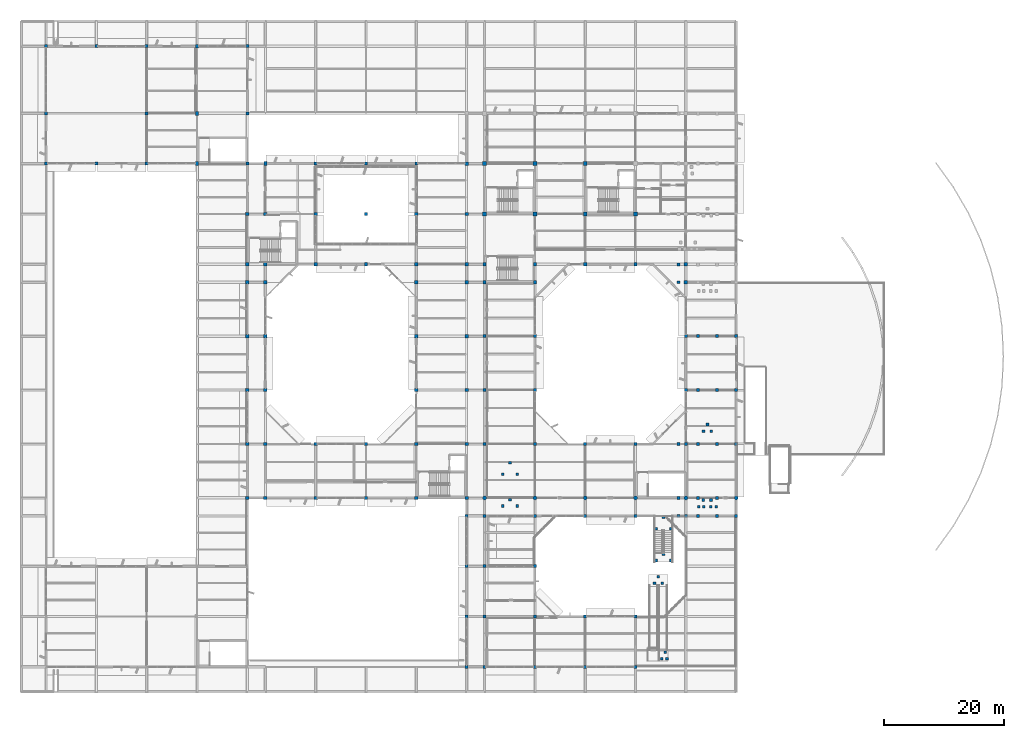
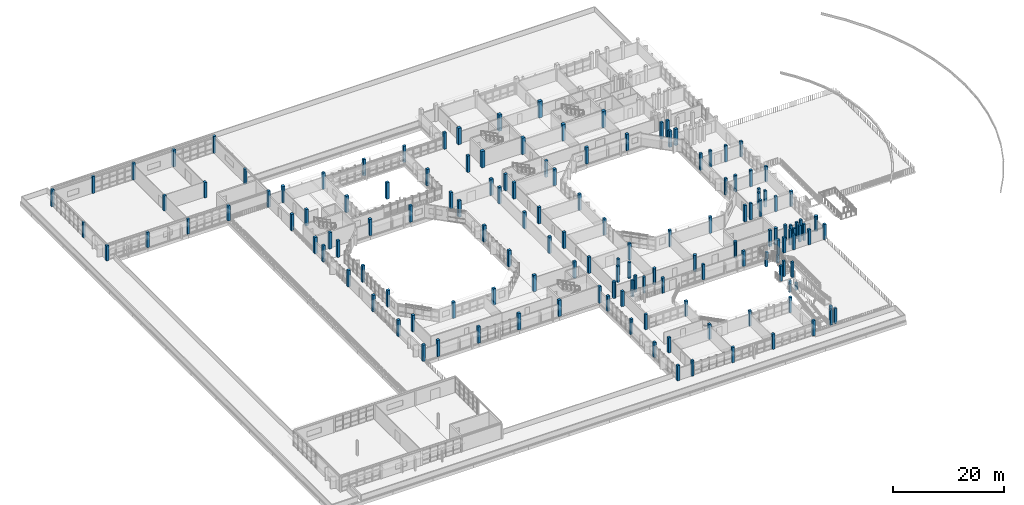
# One storey, part 2 of 92: 152 columns.
"""IFC4 building model written with IfcOpenShell, lengths in metres."""

import ifcopenshell
import ifcopenshell.guid

model = None  # the IFC model being written
_history = None  # IfcOwnerHistory: only IFC2X3 demands one
_inside = {}  # id of a spatial element -> (the spatial element, [elements in it])
_under = {}  # id of a project, library or spatial element -> (it, [spatial elements below it])
_declared = {}  # id of a project -> (the project, [libraries it declares])
_typed = {}  # id of a type object -> (the type object, [elements of that type])
_made_of = {}  # id of a material, layer set ... -> (it, [elements and type objects made of it])


def new_model(schema):
    """Start an empty IFC model of exactly this schema.

    Asked for "IFC4X3", IfcOpenShell would pick the latest addendum, in which some entities
    have other attributes; the version numbers below select the first issue.
    IFC2X3 requires an IfcOwnerHistory on every rooted entity: one is made here for all.
    """
    global model, _history
    if schema == "IFC4X3":
        model = ifcopenshell.file(schema_version=(4, 3, 0, 0))
    else:
        model = ifcopenshell.file(schema=schema)
    _inside.clear()
    _under.clear()
    _declared.clear()
    _typed.clear()
    _made_of.clear()
    _history = None
    if model.schema == "IFC2X3":
        org = make("IfcOrganization", Name="unknown")
        user = make(
            "IfcPersonAndOrganization",
            ThePerson=make("IfcPerson", FamilyName="unknown"),
            TheOrganization=org,
        )
        app = make(
            "IfcApplication",
            ApplicationDeveloper=org,
            Version="unknown",
            ApplicationFullName="unknown",
            ApplicationIdentifier="unknown",
        )
        _history = make(
            "IfcOwnerHistory",
            OwningUser=user,
            OwningApplication=app,
            ChangeAction="ADDED",
            CreationDate=0,
        )
    return model


def make(cls, **values):
    """One entity of the class cls with the attributes given. An attribute that is None is left unset."""
    return model.create_entity(
        cls, **{name: value for name, value in values.items() if value is not None}
    )


def rooted(cls, **values):
    """An entity with a GlobalId (a new one), such as an element, a storey or a relation."""
    return make(cls, GlobalId=ifcopenshell.guid.new(), OwnerHistory=_history, **values)


def si_unit(unit_type, name, prefix=None):
    """IfcSIUnit, for example si_unit("LENGTHUNIT", "METRE", prefix="MILLI")."""
    return make("IfcSIUnit", UnitType=unit_type, Prefix=prefix, Name=name)


def assignment(units):
    """IfcUnitAssignment: the units of a project."""
    return None if units is None else make("IfcUnitAssignment", Units=units)


def point(xyz):
    """IfcCartesianPoint."""
    return None if xyz is None else make("IfcCartesianPoint", Coordinates=xyz)


def direction(xyz):
    """IfcDirection."""
    return None if xyz is None else make("IfcDirection", DirectionRatios=xyz)


def frame(location, z_axis=None, x_axis=None):
    """IfcAxis2Placement3D, a coordinate frame: its origin and axes. An axis left out is left unset."""
    return make(
        "IfcAxis2Placement3D",
        Location=point(location),
        Axis=direction(z_axis),
        RefDirection=direction(x_axis),
    )


def frame_2d(location, x_axis=None):
    """IfcAxis2Placement2D, a coordinate frame in the plane: its origin and x axis."""
    return make(
        "IfcAxis2Placement2D", Location=point(location), RefDirection=direction(x_axis)
    )


def origin():
    """The frame at (0, 0, 0) with its axes left unset."""
    return frame((0.0, 0.0, 0.0))


def origin_2d():
    """The frame at (0, 0) in the plane with its x axis left unset."""
    return frame_2d((0.0, 0.0))


def place(relative_to, where):
    """IfcLocalPlacement: puts the frame where relative to a parent placement (None: the world)."""
    return make(
        "IfcLocalPlacement", PlacementRelTo=relative_to, RelativePlacement=where
    )


def context(
    kind, dimensions, precision=None, world=None, true_north=None, identifier=None
):
    """IfcGeometricRepresentationContext, for example the 3D "Model" context."""
    return make(
        "IfcGeometricRepresentationContext",
        ContextIdentifier=identifier,
        ContextType=kind,
        CoordinateSpaceDimension=dimensions,
        Precision=precision,
        WorldCoordinateSystem=world,
        TrueNorth=true_north,
    )


def subcontext(parent, identifier, kind, view, scale=None):
    """IfcGeometricRepresentationSubContext, for example "Body" below "Model"."""
    return make(
        "IfcGeometricRepresentationSubContext",
        ContextIdentifier=identifier,
        ContextType=kind,
        ParentContext=parent,
        TargetScale=scale,
        TargetView=view,
    )


def project(units=None, contexts=None):
    """IfcProject with its units and contexts."""
    return rooted(
        "IfcProject",
        Name="project",
        RepresentationContexts=contexts,
        UnitsInContext=assignment(units),
    )


def spatial(cls, under=None, at=None, **own):
    """A site, building, storey or space (cls), placed at a placement, below another one or the project."""
    s = rooted(cls, ObjectPlacement=at, **own)
    if under is not None:
        _under.setdefault(under.id(), (under, []))[1].append(s)
    return s


def profile(cls, at=None, kind="AREA", **sizes):
    """A parametric profile (cls). Its sizes go by their IFC names, for example OverallWidth=200.0."""
    return make(cls, ProfileType=kind, Position=at, **sizes)


def rectangle(**sizes):
    """IfcRectangleProfileDef."""
    return profile("IfcRectangleProfileDef", **sizes)


def circle(**sizes):
    """IfcCircleProfileDef."""
    return profile("IfcCircleProfileDef", **sizes)


def extrude(swept, where, along, depth):
    """IfcExtrudedAreaSolid: the profile swept, set in the frame where, extruded along a direction by depth."""
    return make(
        "IfcExtrudedAreaSolid",
        SweptArea=swept,
        Position=where,
        ExtrudedDirection=direction(along),
        Depth=depth,
    )


def shape(context_of_items, identifier, shape_type, items):
    """IfcShapeRepresentation: the items that make up one representation, for example the "Body"."""
    return make(
        "IfcShapeRepresentation",
        ContextOfItems=context_of_items,
        RepresentationIdentifier=identifier,
        RepresentationType=shape_type,
        Items=items,
    )


def material(Name=None, Category=None):
    """IfcMaterial."""
    return make("IfcMaterial", Name=Name, Category=Category)


def material_profile(
    of_material, cross_section, Name=None, Category=None, Priority=None
):
    """IfcMaterialProfile: a cross section and its material."""
    return make(
        "IfcMaterialProfile",
        Name=Name,
        Material=of_material,
        Profile=cross_section,
        Priority=Priority,
        Category=Category,
    )


def profile_set(profiles, Name=None, composite=None):
    """IfcMaterialProfileSet."""
    return make(
        "IfcMaterialProfileSet",
        Name=Name,
        MaterialProfiles=profiles,
        CompositeProfile=composite,
    )


def made_of(thing, what):
    """Note that an element or type object is made of a material, layer set ...; save() writes the relation."""
    if what is not None:
        _made_of.setdefault(what.id(), (what, []))[1].append(thing)
    return thing


def type_object(cls, material=None, **own):
    """A type object (cls), such as IfcWallType, which elements share."""
    return made_of(rooted(cls, **own), material)


def element(
    cls,
    number,
    at=None,
    inside=None,
    cuts=None,
    type_object=None,
    material=None,
    context=None,
    identifier="Body",
    shape_type=None,
    held_by="IfcProductDefinitionShape",
    body=None,
    shapes=None,
    **own,
):
    """One element of the class cls, such as IfcWall. Its Tag is "e" and its number.

    at: its placement. inside: the storey or other place that contains it. cuts: it is an
    opening in that element (IfcRelVoidsElement). A single representation is given by context,
    identifier, shape_type and body (its items); several are given by shapes. held_by: the class
    of the entity that holds the representations. save() writes the other relations.
    """
    e = rooted(cls, Tag="e%d" % number, ObjectPlacement=at, **own)
    if body is not None:
        shapes = [shape(context, identifier, shape_type, body)]
    if shapes is not None:
        e.Representation = make(held_by, Representations=shapes)
    if inside is not None:
        _inside.setdefault(inside.id(), (inside, []))[1].append(e)
    if cuts is not None:
        rooted(
            "IfcRelVoidsElement", RelatingBuildingElement=cuts, RelatedOpeningElement=e
        )
    if type_object is not None:
        _typed.setdefault(type_object.id(), (type_object, []))[1].append(e)
    return made_of(e, material)


def aggregate(whole, parts):
    """IfcRelAggregates: a whole, such as a stair, and the parts it consists of."""
    return rooted("IfcRelAggregates", RelatingObject=whole, RelatedObjects=parts)


def save(model, path):
    """Write the relations noted so far, then the file.

    IfcRelAggregates (storeys below a building ...), IfcRelContainedInSpatialStructure (elements
    in a storey), IfcRelDefinesByType, IfcRelAssociatesMaterial and IfcRelDeclares: one each for
    every whole, place, type object, material and project.
    """
    for whole, parts in _under.values():
        aggregate(whole, parts)
    for where, things in _inside.values():
        rooted(
            "IfcRelContainedInSpatialStructure",
            RelatedElements=things,
            RelatingStructure=where,
        )
    for kind, things in _typed.values():
        rooted("IfcRelDefinesByType", RelatedObjects=things, RelatingType=kind)
    for what, things in _made_of.values():
        rooted("IfcRelAssociatesMaterial", RelatedObjects=things, RelatingMaterial=what)
    for by, libraries in _declared.values():
        rooted("IfcRelDeclares", RelatingContext=by, RelatedDefinitions=libraries)
    model.write(path)


model = new_model("IFC4")

# Units and contexts
model_context = context("Model", 3, precision=1e-05, world=origin(), true_north=direction((0.0, 1.0)))
body_context = subcontext(model_context, "Body", "Model", "MODEL_VIEW")
ifc_project = project(units=[si_unit("LENGTHUNIT", "METRE"), si_unit("AREAUNIT", "SQUARE_METRE"), si_unit("VOLUMEUNIT", "CUBIC_METRE"), si_unit("PLANEANGLEUNIT", "RADIAN"), si_unit("MASSUNIT", "GRAM", prefix="KILO")], contexts=[model_context])

# Site, building, storey
site_placement = place(None, origin())
site = spatial("IfcSite", under=ifc_project, at=site_placement, CompositionType="ELEMENT")
building_placement = place(site_placement, origin())
building = spatial("IfcBuilding", under=site, at=building_placement, Name="Vanh Quang Courtyard School", CompositionType="ELEMENT")
storey_placement = place(building_placement, frame((0.0, 0.0, 7.800048828125)))
storey = spatial("IfcBuildingStorey", under=building, at=storey_placement, Name="L02", CompositionType="ELEMENT", Elevation=7.800048828125)

# Columns
ifc_material = material(Name="Concrete C35/45", Category="concrete")
ifc_material_profile_1 = material_profile(ifc_material, rectangle(XDim=0.449951171875, YDim=0.449951171875, at=origin_2d()), Name="RC-COL 450x450")
ifc_profile_set_1 = profile_set([ifc_material_profile_1], Name="Concrete C35/45")
column_type_1 = type_object("IfcColumnType", Name="COL-RC-450", PredefinedType="COLUMN", material=ifc_profile_set_1)
for number, where, z_axis, x_axis, name in (
    (1, (105.75, 18.14990234375, 0.0), (0.0, 0.0, 1.0), (1.0, 0.0, 0.0), "Column C-06 (L02)"),
    (2, (107.050048828125, 18.14990234375, 0.0), (0.0, 0.0, 1.0), (1.0, 0.0, 0.0), "Column C-06 (L02)"),
    (3, (106.39990234375, 19.25, 0.0), (0.0, 0.0, 1.0), (1.0, 0.0, 0.0), "Column C-06 (L02)"),
):
    element("IfcColumn", number, at=place(storey_placement, frame(where, z_axis=z_axis, x_axis=x_axis)), inside=storey, type_object=column_type_1, Name=name, PredefinedType="COLUMN", context=body_context, shape_type="SweptSolid", body=[
        extrude(rectangle(XDim=0.449951171875, YDim=0.449951171875, at=origin_2d()), origin(), (0.0, 0.0, 1.0), 1.579833984375),
    ])
for number, where, z_axis, x_axis, name in (
    (4, (106.949951171875, 5.550048828125, 0.0), (0.0, 0.0, 1.0), (1.0, 0.0, 0.0), "Column C-06 (L02)"),
    (5, (107.85009765625, 5.550048828125, 0.0), (0.0, 0.0, 1.0), (1.0, 0.0, 0.0), "Column C-06 (L02)"),
    (6, (107.550048828125, 6.64990234375, 0.0), (0.0, 0.0, 1.0), (1.0, 0.0, 0.0), "Column C-06 (L02)"),
):
    element("IfcColumn", number, at=place(storey_placement, frame(where, z_axis=z_axis, x_axis=x_axis)), inside=storey, type_object=column_type_1, Name=name, PredefinedType="COLUMN", context=body_context, shape_type="SweptSolid", body=[
        extrude(rectangle(XDim=0.449951171875, YDim=0.449951171875, at=origin_2d()), origin(), (0.0, 0.0, 1.0), 3.3798828125),
    ])
for number, where, z_axis, x_axis, name in (
    (7, (113.949951171875, 43.550048828125, 0.0), (0.0, 0.0, 1.0), (1.0, 0.0, 0.0), "Column C-06 (L02)"),
    (8, (115.25, 43.550048828125, 0.0), (0.0, 0.0, 1.0), (1.0, 0.0, 0.0), "Column C-06 (L02)"),
    (9, (114.60009765625, 44.64990234375, 0.0), (0.0, 0.0, 1.0), (1.0, 0.0, 0.0), "Column C-06 (L02)"),
    (10, (115.14990234375, 30.949951171875, 0.0), (0.0, 0.0, 1.0), (1.0, 0.0, 0.0), "Column C-06 (L02)"),
    (11, (116.050048828125, 30.949951171875, 0.0), (0.0, 0.0, 1.0), (1.0, 0.0, 0.0), "Column C-06 (L02)"),
    (12, (115.199951171875, 32.050048828125, 0.0), (0.0, 0.0, 1.0), (1.0, 0.0, 0.0), "Column C-06 (L02)"),
):
    element("IfcColumn", number, at=place(storey_placement, frame(where, z_axis=z_axis, x_axis=x_axis)), inside=storey, type_object=column_type_1, Name=name, PredefinedType="COLUMN", context=body_context, shape_type="SweptSolid", body=[
        extrude(rectangle(XDim=0.449951171875, YDim=0.449951171875, at=origin_2d()), origin(), (0.0, 0.0, 1.0), 3.599853515625),
    ])
for number, where, z_axis, x_axis, name in (
    (13, (113.14990234375, 30.949951171875, 0.0), (0.0, 0.0, 1.0), (1.0, 0.0, 0.0), "Column C-06 (L02)"),
    (14, (114.0, 30.949951171875, 0.0), (0.0, 0.0, 1.0), (1.0, 0.0, 0.0), "Column C-06 (L02)"),
    (15, (113.89990234375, 32.050048828125, 0.0), (0.0, 0.0, 1.0), (1.0, 0.0, 0.0), "Column C-06 (L02)"),
):
    element("IfcColumn", number, at=place(storey_placement, frame(where, z_axis=z_axis, x_axis=x_axis)), inside=storey, type_object=column_type_1, Name=name, PredefinedType="COLUMN", context=body_context, shape_type="SweptSolid", body=[
        extrude(rectangle(XDim=0.449951171875, YDim=0.449951171875, at=origin_2d()), origin(), (0.0, 0.0, 1.0), 3.3798828125),
    ])
for number, where, z_axis, x_axis, name in (
    (16, (108.449951171875, 27.239990234375, 0.0), (0.0, 0.0, 1.0), (1.0, 0.0, 0.0), "Column C-06 (L02)"),
    (17, (106.050048828125, 27.239990234375, 0.0), (0.0, 0.0, 1.0), (1.0, 0.0, 0.0), "Column C-06 (L02)"),
    (18, (107.25, 29.14990234375, 0.0), (0.0, 0.0, 1.0), (1.0, 0.0, 0.0), "Column C-06 (L02)"),
):
    element("IfcColumn", number, at=place(storey_placement, frame(where, z_axis=z_axis, x_axis=x_axis)), inside=storey, type_object=column_type_1, Name=name, PredefinedType="COLUMN", context=body_context, shape_type="SweptSolid", body=[
        extrude(rectangle(XDim=0.449951171875, YDim=0.449951171875, at=origin_2d()), origin(), (0.0, 0.0, 1.0), 1.599853515625),
    ])
for number, where, z_axis, x_axis, name in (
    (19, (108.449951171875, 21.949951171875, 0.0), (0.0, 0.0, 1.0), (1.0, 0.0, 0.0), "Column C-06 (L02)"),
    (20, (106.050048828125, 21.949951171875, 0.0), (0.0, 0.0, 1.0), (1.0, 0.0, 0.0), "Column C-06 (L02)"),
    (21, (107.25, 23.0, 0.0), (0.0, 0.0, 1.0), (1.0, 0.0, 0.0), "Column C-06 (L02)"),
):
    element("IfcColumn", number, at=place(storey_placement, frame(where, z_axis=z_axis, x_axis=x_axis)), inside=storey, type_object=column_type_1, Name=name, PredefinedType="COLUMN", context=body_context, shape_type="SweptSolid", body=[
        extrude(rectangle(XDim=0.449951171875, YDim=0.449951171875, at=origin_2d()), origin(), (0.0, 0.0, 1.0), 3.39990234375),
    ])
for number, where, z_axis, x_axis, name in (
    (22, (82.85009765625, 36.340087890625, 0.0), (0.0, 0.0, 1.0), (1.0, 0.0, 0.0), "Column C-06 (L02)"),
    (23, (80.449951171875, 36.340087890625, 0.0), (0.0, 0.0, 1.0), (1.0, 0.0, 0.0), "Column C-06 (L02)"),
    (24, (81.64990234375, 38.25, 0.0), (0.0, 0.0, 1.0), (1.0, 0.0, 0.0), "Column C-06 (L02)"),
    (25, (82.85009765625, 31.050048828125, 0.0), (0.0, 0.0, 1.0), (1.0, 0.0, 0.0), "Column C-06 (L02)"),
    (26, (80.449951171875, 31.050048828125, 0.0), (0.0, 0.0, 1.0), (1.0, 0.0, 0.0), "Column C-06 (L02)"),
    (27, (81.64990234375, 32.10009765625, 0.0), (0.0, 0.0, 1.0), (1.0, 0.0, 0.0), "Column C-06 (L02)"),
):
    element("IfcColumn", number, at=place(storey_placement, frame(where, z_axis=z_axis, x_axis=x_axis)), inside=storey, type_object=column_type_1, Name=name, PredefinedType="COLUMN", context=body_context, shape_type="SweptSolid", body=[
        extrude(rectangle(XDim=0.449951171875, YDim=0.449951171875, at=origin_2d()), origin(), (0.0, 0.0, 1.0), 3.599853515625),
    ])
ifc_material_profile_2 = material_profile(ifc_material, rectangle(XDim=0.5, YDim=0.5, at=origin_2d()), Name="RC-COL 500x500")
ifc_profile_set_2 = profile_set([ifc_material_profile_2], Name="Concrete C35/45")
column_type_2 = type_object("IfcColumnType", Name="COL-RC-500", PredefinedType="COLUMN", material=ifc_profile_set_2)
for number, where, z_axis, x_axis, name in (
    (28, (4.199951171875, 88.199951171875, 0.0), (0.0, 0.0, 1.0), (1.0, 0.0, 0.0), "Column C-05 (L02)"),
    (29, (4.199951171875, 96.60009765625, 0.0), (0.0, 0.0, 1.0), (1.0, 0.0, 0.0), "Column C-05 (L02)"),
):
    element("IfcColumn", number, at=place(storey_placement, frame(where, z_axis=z_axis, x_axis=x_axis)), inside=storey, type_object=column_type_2, Name=name, PredefinedType="COLUMN", context=body_context, shape_type="SweptSolid", body=[
        extrude(rectangle(XDim=0.5, YDim=0.5, at=origin_2d()), origin(), (0.0, 0.0, 1.0), 3.33984375),
    ])
column_1_placement = place(storey_placement, frame((4.199951171875, 107.800048828125, 0.0), z_axis=(0.0, 0.0, 1.0), x_axis=(1.0, 0.0, 0.0)))
element("IfcColumn", 30, at=column_1_placement, inside=storey, type_object=column_type_2, Name="Column C-05 (L02)", PredefinedType="COLUMN", context=body_context, shape_type="SweptSolid", body=[
    extrude(rectangle(XDim=0.5, YDim=0.5, at=origin_2d()), origin(), (0.0, 0.0, 1.0), 3.75),
])
column_2_placement = place(storey_placement, frame((12.60009765625, 88.199951171875, 0.0), z_axis=(0.0, 0.0, 1.0), x_axis=(1.0, 0.0, 0.0)))
element("IfcColumn", 31, at=column_2_placement, inside=storey, type_object=column_type_2, Name="Column C-05 (L02)", PredefinedType="COLUMN", context=body_context, shape_type="SweptSolid", body=[
    extrude(rectangle(XDim=0.5, YDim=0.5, at=origin_2d()), origin(), (0.0, 0.0, 1.0), 3.33984375),
])
column_3_placement = place(storey_placement, frame((12.60009765625, 107.800048828125, 0.0), z_axis=(0.0, 0.0, 1.0), x_axis=(1.0, 0.0, 0.0)))
element("IfcColumn", 32, at=column_3_placement, inside=storey, type_object=column_type_2, Name="Column C-05 (L02)", PredefinedType="COLUMN", context=body_context, shape_type="SweptSolid", body=[
    extrude(rectangle(XDim=0.5, YDim=0.5, at=origin_2d()), origin(), (0.0, 0.0, 1.0), 3.75),
])
for number, where, z_axis, x_axis, name in (
    (33, (21.0, 88.199951171875, 0.0), (0.0, 0.0, 1.0), (1.0, 0.0, 0.0), "Column C-05 (L02)"),
    (34, (21.0, 96.60009765625, 0.0), (0.0, 0.0, 1.0), (1.0, 0.0, 0.0), "Column C-05 (L02)"),
):
    element("IfcColumn", number, at=place(storey_placement, frame(where, z_axis=z_axis, x_axis=x_axis)), inside=storey, type_object=column_type_2, Name=name, PredefinedType="COLUMN", context=body_context, shape_type="SweptSolid", body=[
        extrude(rectangle(XDim=0.5, YDim=0.5, at=origin_2d()), origin(), (0.0, 0.0, 1.0), 3.33984375),
    ])
column_4_placement = place(storey_placement, frame((21.0, 107.800048828125, 0.0), z_axis=(0.0, 0.0, 1.0), x_axis=(1.0, 0.0, 0.0)))
element("IfcColumn", 35, at=column_4_placement, inside=storey, type_object=column_type_2, Name="Column C-05 (L02)", PredefinedType="COLUMN", context=body_context, shape_type="SweptSolid", body=[
    extrude(rectangle(XDim=0.5, YDim=0.5, at=origin_2d()), origin(), (0.0, 0.0, 1.0), 3.75),
])
column_5_placement = place(storey_placement, frame((37.800048828125, 88.199951171875, 0.0), z_axis=(0.0, 0.0, 1.0), x_axis=(1.0, 0.0, 0.0)))
element("IfcColumn", 36, at=column_5_placement, inside=storey, type_object=column_type_2, Name="Column C-05 (L02)", PredefinedType="COLUMN", context=body_context, shape_type="SweptSolid", body=[
    extrude(rectangle(XDim=0.5, YDim=0.5, at=origin_2d()), origin(), (0.0, 0.0, 1.0), 3.599853515625),
])
column_6_placement = place(storey_placement, frame((37.800048828125, 96.60009765625, 0.0), z_axis=(0.0, 0.0, 1.0), x_axis=(1.0, 0.0, 0.0)))
element("IfcColumn", 37, at=column_6_placement, inside=storey, type_object=column_type_2, Name="Column C-05 (L02)", PredefinedType="COLUMN", context=body_context, shape_type="SweptSolid", body=[
    extrude(rectangle(XDim=0.5, YDim=0.5, at=origin_2d()), origin(), (0.0, 0.0, 1.0), 3.33984375),
])
column_7_placement = place(storey_placement, frame((37.800048828125, 107.800048828125, 0.0), z_axis=(0.0, 0.0, 1.0), x_axis=(1.0, 0.0, 0.0)))
element("IfcColumn", 38, at=column_7_placement, inside=storey, type_object=column_type_2, Name="Column C-05 (L02)", PredefinedType="COLUMN", context=body_context, shape_type="SweptSolid", body=[
    extrude(rectangle(XDim=0.5, YDim=0.5, at=origin_2d()), origin(), (0.0, 0.0, 1.0), 3.75),
])
for number, where, z_axis, x_axis, name in (
    (39, (49.199951171875, 88.199951171875, 0.0), (0.0, 0.0, 1.0), (1.0, 0.0, 0.0), "Column C-05 (L02)"),
    (40, (57.60009765625, 88.199951171875, 0.0), (0.0, 0.0, 1.0), (1.0, 0.0, 0.0), "Column C-05 (L02)"),
    (41, (66.0, 88.199951171875, 0.0), (0.0, 0.0, 1.0), (1.0, 0.0, 0.0), "Column C-05 (L02)"),
):
    element("IfcColumn", number, at=place(storey_placement, frame(where, z_axis=z_axis, x_axis=x_axis)), inside=storey, type_object=column_type_2, Name=name, PredefinedType="COLUMN", context=body_context, shape_type="SweptSolid", body=[
        extrude(rectangle(XDim=0.5, YDim=0.5, at=origin_2d()), origin(), (0.0, 0.0, 1.0), 3.599853515625),
    ])
for number, where, z_axis, x_axis, name in (
    (42, (74.39990234375, 4.199951171875, 0.0), (0.0, 0.0, 1.0), (1.0, 0.0, 0.0), "Column C-05 (L02)"),
    (43, (74.39990234375, 12.60009765625, 0.0), (0.0, 0.0, 1.0), (1.0, 0.0, 0.0), "Column C-05 (L02)"),
    (44, (74.39990234375, 21.0, 0.0), (0.0, 0.0, 1.0), (1.0, 0.0, 0.0), "Column C-05 (L02)"),
    (45, (74.39990234375, 29.39990234375, 0.0), (0.0, 0.0, 1.0), (1.0, 0.0, 0.0), "Column C-05 (L02)"),
    (46, (77.39990234375, 4.199951171875, 0.0), (0.0, 0.0, 1.0), (1.0, 0.0, 0.0), "Column C-05 (L02)"),
    (47, (77.39990234375, 12.60009765625, 0.0), (0.0, 0.0, 1.0), (1.0, 0.0, 0.0), "Column C-05 (L02)"),
    (48, (77.39990234375, 21.0, 0.0), (0.0, 0.0, 1.0), (1.0, 0.0, 0.0), "Column C-05 (L02)"),
    (49, (77.39990234375, 29.39990234375, 0.0), (0.0, 0.0, 1.0), (1.0, 0.0, 0.0), "Column C-05 (L02)"),
):
    element("IfcColumn", number, at=place(storey_placement, frame(where, z_axis=z_axis, x_axis=x_axis)), inside=storey, type_object=column_type_2, Name=name, PredefinedType="COLUMN", context=body_context, shape_type="SweptSolid", body=[
        extrude(rectangle(XDim=0.5, YDim=0.5, at=origin_2d()), origin(), (0.0, 0.0, 1.0), 3.33984375),
    ])
for number, where, z_axis, x_axis, name in (
    (50, (77.39990234375, 41.39990234375, 0.0), (0.0, 0.0, 1.0), (1.0, 0.0, 0.0), "Column C-05 (L02)"),
    (51, (77.39990234375, 50.39990234375, 0.0), (0.0, 0.0, 1.0), (1.0, 0.0, 0.0), "Column C-05 (L02)"),
    (52, (77.39990234375, 59.39990234375, 0.0), (0.0, 0.0, 1.0), (1.0, 0.0, 0.0), "Column C-05 (L02)"),
):
    element("IfcColumn", number, at=place(storey_placement, frame(where, z_axis=z_axis, x_axis=x_axis)), inside=storey, type_object=column_type_2, Name=name, PredefinedType="COLUMN", context=body_context, shape_type="SweptSolid", body=[
        extrude(rectangle(XDim=0.5, YDim=0.5, at=origin_2d()), origin(), (0.0, 0.0, 1.0), 3.599853515625),
    ])
for number, where, z_axis, x_axis, name in (
    (53, (85.800048828125, 4.199951171875, 0.0), (0.0, 0.0, 1.0), (1.0, 0.0, 0.0), "Column C-05 (L02)"),
    (54, (85.800048828125, 12.60009765625, 0.0), (0.0, 0.0, 1.0), (1.0, 0.0, 0.0), "Column C-05 (L02)"),
    (55, (85.800048828125, 21.0, 0.0), (0.0, 0.0, 1.0), (1.0, 0.0, 0.0), "Column C-05 (L02)"),
    (56, (85.800048828125, 29.39990234375, 0.0), (0.0, 0.0, 1.0), (1.0, 0.0, 0.0), "Column C-05 (L02)"),
):
    element("IfcColumn", number, at=place(storey_placement, frame(where, z_axis=z_axis, x_axis=x_axis)), inside=storey, type_object=column_type_2, Name=name, PredefinedType="COLUMN", context=body_context, shape_type="SweptSolid", body=[
        extrude(rectangle(XDim=0.5, YDim=0.5, at=origin_2d()), origin(), (0.0, 0.0, 1.0), 3.33984375),
    ])
for number, where, z_axis, x_axis, name in (
    (57, (85.800048828125, 41.39990234375, 0.0), (0.0, 0.0, 1.0), (1.0, 0.0, 0.0), "Column C-05 (L02)"),
    (58, (85.800048828125, 50.39990234375, 0.0), (0.0, 0.0, 1.0), (1.0, 0.0, 0.0), "Column C-05 (L02)"),
    (59, (85.800048828125, 59.39990234375, 0.0), (0.0, 0.0, 1.0), (1.0, 0.0, 0.0), "Column C-05 (L02)"),
):
    element("IfcColumn", number, at=place(storey_placement, frame(where, z_axis=z_axis, x_axis=x_axis)), inside=storey, type_object=column_type_2, Name=name, PredefinedType="COLUMN", context=body_context, shape_type="SweptSolid", body=[
        extrude(rectangle(XDim=0.5, YDim=0.5, at=origin_2d()), origin(), (0.0, 0.0, 1.0), 3.599853515625),
    ])
for number, where, z_axis, x_axis, name in (
    (60, (94.199951171875, 4.199951171875, 0.0), (0.0, 0.0, 1.0), (1.0, 0.0, 0.0), "Column C-05 (L02)"),
    (61, (94.199951171875, 12.60009765625, 0.0), (0.0, 0.0, 1.0), (1.0, 0.0, 0.0), "Column C-05 (L02)"),
    (62, (94.199951171875, 29.39990234375, 0.0), (0.0, 0.0, 1.0), (1.0, 0.0, 0.0), "Column C-05 (L02)"),
):
    element("IfcColumn", number, at=place(storey_placement, frame(where, z_axis=z_axis, x_axis=x_axis)), inside=storey, type_object=column_type_2, Name=name, PredefinedType="COLUMN", context=body_context, shape_type="SweptSolid", body=[
        extrude(rectangle(XDim=0.5, YDim=0.5, at=origin_2d()), origin(), (0.0, 0.0, 1.0), 3.33984375),
    ])
column_8_placement = place(storey_placement, frame((94.199951171875, 41.39990234375, 0.0), z_axis=(0.0, 0.0, 1.0), x_axis=(1.0, 0.0, 0.0)))
element("IfcColumn", 63, at=column_8_placement, inside=storey, type_object=column_type_2, Name="Column C-05 (L02)", PredefinedType="COLUMN", context=body_context, shape_type="SweptSolid", body=[
    extrude(rectangle(XDim=0.5, YDim=0.5, at=origin_2d()), origin(), (0.0, 0.0, 1.0), 3.599853515625),
])
for number, where, z_axis, x_axis, name in (
    (64, (102.60009765625, 4.199951171875, 0.0), (0.0, 0.0, 1.0), (1.0, 0.0, 0.0), "Column C-05 (L02)"),
    (65, (102.60009765625, 12.60009765625, 0.0), (0.0, 0.0, 1.0), (1.0, 0.0, 0.0), "Column C-05 (L02)"),
    (66, (102.60009765625, 29.39990234375, 0.0), (0.0, 0.0, 1.0), (1.0, 0.0, 0.0), "Column C-05 (L02)"),
):
    element("IfcColumn", number, at=place(storey_placement, frame(where, z_axis=z_axis, x_axis=x_axis)), inside=storey, type_object=column_type_2, Name=name, PredefinedType="COLUMN", context=body_context, shape_type="SweptSolid", body=[
        extrude(rectangle(XDim=0.5, YDim=0.5, at=origin_2d()), origin(), (0.0, 0.0, 1.0), 3.33984375),
    ])
column_9_placement = place(storey_placement, frame((102.60009765625, 41.39990234375, 0.0), z_axis=(0.0, 0.0, 1.0), x_axis=(1.0, 0.0, 0.0)))
element("IfcColumn", 67, at=column_9_placement, inside=storey, type_object=column_type_2, Name="Column C-05 (L02)", PredefinedType="COLUMN", context=body_context, shape_type="SweptSolid", body=[
    extrude(rectangle(XDim=0.5, YDim=0.5, at=origin_2d()), origin(), (0.0, 0.0, 1.0), 3.599853515625),
])
column_10_placement = place(storey_placement, frame((111.0, 29.39990234375, 0.0), z_axis=(0.0, 0.0, 1.0), x_axis=(1.0, 0.0, 0.0)))
element("IfcColumn", 68, at=column_10_placement, inside=storey, type_object=column_type_2, Name="Column C-05 (L02)", PredefinedType="COLUMN", context=body_context, shape_type="SweptSolid", body=[
    extrude(rectangle(XDim=0.5, YDim=0.5, at=origin_2d()), origin(), (0.0, 0.0, 1.0), 3.33984375),
])
for number, where, z_axis, x_axis, name in (
    (69, (111.0, 41.39990234375, 0.0), (0.0, 0.0, 1.0), (1.0, 0.0, 0.0), "Column C-05 (L02)"),
    (70, (111.0, 50.39990234375, 0.0), (0.0, 0.0, 1.0), (1.0, 0.0, 0.0), "Column C-05 (L02)"),
    (71, (111.0, 59.39990234375, 0.0), (0.0, 0.0, 1.0), (1.0, 0.0, 0.0), "Column C-05 (L02)"),
):
    element("IfcColumn", number, at=place(storey_placement, frame(where, z_axis=z_axis, x_axis=x_axis)), inside=storey, type_object=column_type_2, Name=name, PredefinedType="COLUMN", context=body_context, shape_type="SweptSolid", body=[
        extrude(rectangle(XDim=0.5, YDim=0.5, at=origin_2d()), origin(), (0.0, 0.0, 1.0), 3.599853515625),
    ])
for number, where, z_axis, x_axis, name in (
    (72, (119.39990234375, 29.39990234375, 0.0), (0.0, 0.0, 1.0), (1.0, 0.0, 0.0), "Column C-05 (L02)"),
    (73, (119.39990234375, 41.39990234375, 0.0), (0.0, 0.0, 1.0), (1.0, 0.0, 0.0), "Column C-05 (L02)"),
    (74, (119.39990234375, 50.39990234375, 0.0), (0.0, 0.0, 1.0), (1.0, 0.0, 0.0), "Column C-05 (L02)"),
    (75, (119.39990234375, 59.39990234375, 0.0), (0.0, 0.0, 1.0), (1.0, 0.0, 0.0), "Column C-05 (L02)"),
):
    element("IfcColumn", number, at=place(storey_placement, frame(where, z_axis=z_axis, x_axis=x_axis)), inside=storey, type_object=column_type_2, Name=name, PredefinedType="COLUMN", context=body_context, shape_type="SweptSolid", body=[
        extrude(rectangle(XDim=0.5, YDim=0.5, at=origin_2d()), origin(), (0.0, 0.0, 1.0), 3.33984375),
    ])
column_11_placement = place(storey_placement, frame((116.199951171875, 29.39990234375, 0.0), z_axis=(0.0, 0.0, 1.0), x_axis=(1.0, 0.0, 0.0)))
element("IfcColumn", 76, at=column_11_placement, inside=storey, type_object=column_type_2, Name="Column C-05 (L02)", PredefinedType="COLUMN", context=body_context, shape_type="SweptSolid", body=[
    extrude(rectangle(XDim=0.5, YDim=0.5, at=origin_2d()), origin(), (0.0, 0.0, 1.0), 3.280029296875),
])
column_12_placement = place(storey_placement, frame((116.199951171875, 32.39990234375, 0.0), z_axis=(0.0, 0.0, 1.0), x_axis=(1.0, 0.0, 0.0)))
element("IfcColumn", 77, at=column_12_placement, inside=storey, type_object=column_type_2, Name="Column C-05 (L02)", PredefinedType="COLUMN", context=body_context, shape_type="SweptSolid", body=[
    extrude(rectangle(XDim=0.5, YDim=0.5, at=origin_2d()), origin(), (0.0, 0.0, 1.0), 3.599853515625),
])
column_13_placement = place(storey_placement, frame((116.199951171875, 41.39990234375, 0.0), z_axis=(0.0, 0.0, 1.0), x_axis=(1.0, 0.0, 0.0)))
element("IfcColumn", 78, at=column_13_placement, inside=storey, type_object=column_type_2, Name="Column C-05 (L02)", PredefinedType="COLUMN", context=body_context, shape_type="SweptSolid", body=[
    extrude(rectangle(XDim=0.5, YDim=0.5, at=origin_2d()), origin(), (0.0, 0.0, 1.0), 3.280029296875),
])
for number, where, z_axis, x_axis, name in (
    (79, (116.199951171875, 50.39990234375, 0.0), (0.0, 0.0, 1.0), (1.0, 0.0, 0.0), "Column C-05 (L02)"),
    (80, (116.199951171875, 59.39990234375, 0.0), (0.0, 0.0, 1.0), (1.0, 0.0, 0.0), "Column C-05 (L02)"),
):
    element("IfcColumn", number, at=place(storey_placement, frame(where, z_axis=z_axis, x_axis=x_axis)), inside=storey, type_object=column_type_2, Name=name, PredefinedType="COLUMN", context=body_context, shape_type="SweptSolid", body=[
        extrude(rectangle(XDim=0.5, YDim=0.5, at=origin_2d()), origin(), (0.0, 0.0, 1.0), 3.599853515625),
    ])
column_14_placement = place(storey_placement, frame((113.0, 29.39990234375, 0.0), z_axis=(0.0, 0.0, 1.0), x_axis=(1.0, 0.0, 0.0)))
element("IfcColumn", 81, at=column_14_placement, inside=storey, type_object=column_type_2, Name="Column C-05 (L02)", PredefinedType="COLUMN", context=body_context, shape_type="SweptSolid", body=[
    extrude(rectangle(XDim=0.5, YDim=0.5, at=origin_2d()), origin(), (0.0, 0.0, 1.0), 3.280029296875),
])
for number, where, z_axis, x_axis, name in (
    (82, (113.0, 32.39990234375, 0.0), (0.0, 0.0, 1.0), (1.0, 0.0, 0.0), "Column C-05 (L02)"),
    (83, (113.0, 41.39990234375, 0.0), (0.0, 0.0, 1.0), (1.0, 0.0, 0.0), "Column C-05 (L02)"),
    (84, (113.0, 50.39990234375, 0.0), (0.0, 0.0, 1.0), (1.0, 0.0, 0.0), "Column C-05 (L02)"),
    (85, (113.0, 59.39990234375, 0.0), (0.0, 0.0, 1.0), (1.0, 0.0, 0.0), "Column C-05 (L02)"),
):
    element("IfcColumn", number, at=place(storey_placement, frame(where, z_axis=z_axis, x_axis=x_axis)), inside=storey, type_object=column_type_2, Name=name, PredefinedType="COLUMN", context=body_context, shape_type="SweptSolid", body=[
        extrude(rectangle(XDim=0.5, YDim=0.5, at=origin_2d()), origin(), (0.0, 0.0, 1.0), 3.599853515625),
    ])
column_15_placement = place(storey_placement, frame((109.800048828125, 29.39990234375, 0.0), z_axis=(0.0, 0.0, 1.0), x_axis=(1.0, 0.0, 0.0)))
element("IfcColumn", 86, at=column_15_placement, inside=storey, type_object=column_type_2, Name="Column C-05 (L02)", PredefinedType="COLUMN", context=body_context, shape_type="SweptSolid", body=[
    extrude(rectangle(XDim=0.5, YDim=0.5, at=origin_2d()), origin(), (0.0, 0.0, 1.0), 3.280029296875),
])
for number, where, z_axis, x_axis, name in (
    (87, (109.800048828125, 32.39990234375, 0.0), (0.0, 0.0, 1.0), (1.0, 0.0, 0.0), "Column C-05 (L02)"),
    (88, (109.800048828125, 41.39990234375, 0.0), (0.0, 0.0, 1.0), (1.0, 0.0, 0.0), "Column C-05 (L02)"),
    (89, (109.800048828125, 68.39990234375, 0.0), (0.0, 0.0, 1.0), (1.0, 0.0, 0.0), "Column C-05 (L02)"),
    (90, (109.800048828125, 71.39990234375, 0.0), (0.0, 0.0, 1.0), (1.0, 0.0, 0.0), "Column C-05 (L02)"),
):
    element("IfcColumn", number, at=place(storey_placement, frame(where, z_axis=z_axis, x_axis=x_axis)), inside=storey, type_object=column_type_2, Name=name, PredefinedType="COLUMN", context=body_context, shape_type="SweptSolid", body=[
        extrude(rectangle(XDim=0.5, YDim=0.5, at=origin_2d()), origin(), (0.0, 0.0, 1.0), 3.599853515625),
    ])
ifc_material_profile_3 = material_profile(ifc_material, rectangle(XDim=0.5, YDim=0.64990234375, at=origin_2d()), Name="RC-COL 500x650")
ifc_profile_set_3 = profile_set([ifc_material_profile_3], Name="Concrete C35/45")
column_type_3 = type_object("IfcColumnType", Name="COL-RC-500x650", PredefinedType="COLUMN", material=ifc_profile_set_3)
for number, where, z_axis, x_axis, name in (
    (91, (29.39990234375, 88.199951171875, 0.0), (0.0, 0.0, 1.0), (1.0, 0.0, 0.0), "Column C-07 (L02)"),
    (92, (29.39990234375, 96.60009765625, 0.0), (0.0, 0.0, 1.0), (1.0, 0.0, 0.0), "Column C-07 (L02)"),
):
    element("IfcColumn", number, at=place(storey_placement, frame(where, z_axis=z_axis, x_axis=x_axis)), inside=storey, type_object=column_type_3, Name=name, PredefinedType="COLUMN", context=body_context, shape_type="SweptSolid", body=[
        extrude(rectangle(XDim=0.5, YDim=0.64990234375, at=origin_2d()), origin(), (0.0, 0.0, 1.0), 3.33984375),
    ])
column_16_placement = place(storey_placement, frame((29.39990234375, 107.800048828125, 0.0), z_axis=(0.0, 0.0, 1.0), x_axis=(1.0, 0.0, 0.0)))
element("IfcColumn", 93, at=column_16_placement, inside=storey, type_object=column_type_3, Name="Column C-07 (L02)", PredefinedType="COLUMN", context=body_context, shape_type="SweptSolid", body=[
    extrude(rectangle(XDim=0.5, YDim=0.64990234375, at=origin_2d()), origin(), (0.0, 0.0, 1.0), 3.75),
])
column_17_placement = place(storey_placement, frame((40.800048828125, 88.199951171875, 0.0), z_axis=(0.0, 0.0, 1.0), x_axis=(1.0, 0.0, 0.0)))
element("IfcColumn", 94, at=column_17_placement, inside=storey, type_object=column_type_3, Name="Column C-07 (L02)", PredefinedType="COLUMN", context=body_context, shape_type="SweptSolid", body=[
    extrude(rectangle(XDim=0.5, YDim=0.64990234375, at=origin_2d()), origin(), (0.0, 0.0, 1.0), 3.599853515625),
])
ifc_material_profile_4 = material_profile(ifc_material, rectangle(XDim=0.550048828125, YDim=0.550048828125, at=origin_2d()), Name="RC-COL 550x550")
ifc_profile_set_4 = profile_set([ifc_material_profile_4], Name="Concrete C35/45")
column_type_4 = type_object("IfcColumnType", Name="COL-RC-550", PredefinedType="COLUMN", material=ifc_profile_set_4)
for number, where, z_axis, x_axis, name in (
    (95, (37.800048828125, 32.39990234375, 0.0), (0.0, 0.0, 1.0), (1.0, 0.0, 0.0), "Column C-04 (L02)"),
    (96, (37.800048828125, 41.39990234375, 0.0), (0.0, 0.0, 1.0), (1.0, 0.0, 0.0), "Column C-04 (L02)"),
    (97, (37.800048828125, 50.39990234375, 0.0), (0.0, 0.0, 1.0), (1.0, 0.0, 0.0), "Column C-04 (L02)"),
    (98, (37.800048828125, 59.39990234375, 0.0), (0.0, 0.0, 1.0), (1.0, 0.0, 0.0), "Column C-04 (L02)"),
    (99, (37.800048828125, 68.39990234375, 0.0), (0.0, 0.0, 1.0), (1.0, 0.0, 0.0), "Column C-04 (L02)"),
    (100, (37.800048828125, 71.39990234375, 0.0), (0.0, 0.0, 1.0), (1.0, 0.0, 0.0), "Column C-04 (L02)"),
    (101, (37.800048828125, 79.800048828125, 0.0), (0.0, 0.0, 1.0), (1.0, 0.0, 0.0), "Column C-04 (L02)"),
    (102, (40.800048828125, 32.39990234375, 0.0), (0.0, 0.0, 1.0), (1.0, 0.0, 0.0), "Column C-04 (L02)"),
    (103, (40.800048828125, 41.39990234375, 0.0), (0.0, 0.0, 1.0), (1.0, 0.0, 0.0), "Column C-04 (L02)"),
    (104, (40.800048828125, 50.39990234375, 0.0), (0.0, 0.0, 1.0), (1.0, 0.0, 0.0), "Column C-04 (L02)"),
    (105, (40.800048828125, 59.39990234375, 0.0), (0.0, 0.0, 1.0), (1.0, 0.0, 0.0), "Column C-04 (L02)"),
    (106, (40.800048828125, 68.39990234375, 0.0), (0.0, 0.0, 1.0), (1.0, 0.0, 0.0), "Column C-04 (L02)"),
    (107, (40.800048828125, 71.39990234375, 0.0), (0.0, 0.0, 1.0), (1.0, 0.0, 0.0), "Column C-04 (L02)"),
    (108, (40.800048828125, 79.800048828125, 0.0), (0.0, 0.0, 1.0), (1.0, 0.0, 0.0), "Column C-04 (L02)"),
    (109, (49.199951171875, 32.39990234375, 0.0), (0.0, 0.0, 1.0), (1.0, 0.0, 0.0), "Column C-04 (L02)"),
    (110, (49.199951171875, 41.39990234375, 0.0), (0.0, 0.0, 1.0), (1.0, 0.0, 0.0), "Column C-04 (L02)"),
    (111, (49.199951171875, 71.39990234375, 0.0), (0.0, 0.0, 1.0), (1.0, 0.0, 0.0), "Column C-04 (L02)"),
    (112, (49.199951171875, 79.800048828125, 0.0), (0.0, 0.0, 1.0), (1.0, 0.0, 0.0), "Column C-04 (L02)"),
    (113, (57.60009765625, 32.39990234375, 0.0), (0.0, 0.0, 1.0), (1.0, 0.0, 0.0), "Column C-04 (L02)"),
    (114, (57.60009765625, 41.39990234375, 0.0), (0.0, 0.0, 1.0), (1.0, 0.0, 0.0), "Column C-04 (L02)"),
    (115, (57.60009765625, 71.39990234375, 0.0), (0.0, 0.0, 1.0), (1.0, 0.0, 0.0), "Column C-04 (L02)"),
    (116, (57.60009765625, 79.800048828125, 0.0), (0.0, 0.0, 1.0), (1.0, 0.0, 0.0), "Column C-04 (L02)"),
    (117, (66.0, 32.39990234375, 0.0), (0.0, 0.0, 1.0), (1.0, 0.0, 0.0), "Column C-04 (L02)"),
    (118, (66.0, 41.39990234375, 0.0), (0.0, 0.0, 1.0), (1.0, 0.0, 0.0), "Column C-04 (L02)"),
    (119, (66.0, 50.39990234375, 0.0), (0.0, 0.0, 1.0), (1.0, 0.0, 0.0), "Column C-04 (L02)"),
    (120, (66.0, 59.39990234375, 0.0), (0.0, 0.0, 1.0), (1.0, 0.0, 0.0), "Column C-04 (L02)"),
    (121, (66.0, 68.39990234375, 0.0), (0.0, 0.0, 1.0), (1.0, 0.0, 0.0), "Column C-04 (L02)"),
    (122, (66.0, 71.39990234375, 0.0), (0.0, 0.0, 1.0), (1.0, 0.0, 0.0), "Column C-04 (L02)"),
    (123, (66.0, 79.800048828125, 0.0), (0.0, 0.0, 1.0), (1.0, 0.0, 0.0), "Column C-04 (L02)"),
    (124, (74.39990234375, 32.39990234375, 0.0), (0.0, 0.0, 1.0), (1.0, 0.0, 0.0), "Column C-04 (L02)"),
    (125, (74.39990234375, 41.39990234375, 0.0), (0.0, 0.0, 1.0), (1.0, 0.0, 0.0), "Column C-04 (L02)"),
    (126, (74.39990234375, 50.39990234375, 0.0), (0.0, 0.0, 1.0), (1.0, 0.0, 0.0), "Column C-04 (L02)"),
    (127, (74.39990234375, 59.39990234375, 0.0), (0.0, 0.0, 1.0), (1.0, 0.0, 0.0), "Column C-04 (L02)"),
    (128, (74.39990234375, 68.39990234375, 0.0), (0.0, 0.0, 1.0), (1.0, 0.0, 0.0), "Column C-04 (L02)"),
    (129, (74.39990234375, 71.39990234375, 0.0), (0.0, 0.0, 1.0), (1.0, 0.0, 0.0), "Column C-04 (L02)"),
    (130, (74.39990234375, 79.800048828125, 0.0), (0.0, 0.0, 1.0), (1.0, 0.0, 0.0), "Column C-04 (L02)"),
    (131, (74.39990234375, 88.199951171875, 0.0), (0.0, 0.0, 1.0), (1.0, 0.0, 0.0), "Column C-04 (L02)"),
    (132, (77.39990234375, 68.39990234375, 0.0), (0.0, 0.0, 1.0), (1.0, 0.0, 0.0), "Column C-04 (L02)"),
    (133, (77.39990234375, 71.39990234375, 0.0), (0.0, 0.0, 1.0), (1.0, 0.0, 0.0), "Column C-04 (L02)"),
    (134, (85.800048828125, 68.39990234375, 0.0), (0.0, 0.0, 1.0), (1.0, 0.0, 0.0), "Column C-04 (L02)"),
    (135, (85.800048828125, 71.39990234375, 0.0), (0.0, 0.0, 1.0), (1.0, 0.0, 0.0), "Column C-04 (L02)"),
    (136, (94.199951171875, 71.39990234375, 0.0), (0.0, 0.0, 1.0), (1.0, 0.0, 0.0), "Column C-04 (L02)"),
    (137, (102.60009765625, 71.39990234375, 0.0), (0.0, 0.0, 1.0), (1.0, 0.0, 0.0), "Column C-04 (L02)"),
    (138, (111.0, 68.39990234375, 0.0), (0.0, 0.0, 1.0), (1.0, 0.0, 0.0), "Column C-04 (L02)"),
    (139, (111.0, 71.39990234375, 0.0), (0.0, 0.0, 1.0), (1.0, 0.0, 0.0), "Column C-04 (L02)"),
):
    element("IfcColumn", number, at=place(storey_placement, frame(where, z_axis=z_axis, x_axis=x_axis)), inside=storey, type_object=column_type_4, Name=name, PredefinedType="COLUMN", context=body_context, shape_type="SweptSolid", body=[
        extrude(rectangle(XDim=0.550048828125, YDim=0.550048828125, at=origin_2d()), origin(), (0.0, 0.0, 1.0), 3.599853515625),
    ])
ifc_material_profile_5 = material_profile(ifc_material, rectangle(XDim=0.64990234375, YDim=0.64990234375, at=origin_2d()), Name="RC-COL 650x650")
ifc_profile_set_5 = profile_set([ifc_material_profile_5], Name="Concrete C35/45")
column_type_5 = type_object("IfcColumnType", Name="COL-RC-650", PredefinedType="COLUMN", material=ifc_profile_set_5)
for number, where, z_axis, x_axis, name in (
    (140, (77.39990234375, 79.800048828125, 0.0), (0.0, 0.0, 1.0), (1.0, 0.0, 0.0), "Column C-02 (L02)"),
    (141, (77.39990234375, 88.199951171875, 0.0), (0.0, 0.0, 1.0), (1.0, 0.0, 0.0), "Column C-02 (L02)"),
    (142, (85.800048828125, 79.800048828125, 0.0), (0.0, 0.0, 1.0), (1.0, 0.0, 0.0), "Column C-02 (L02)"),
    (143, (85.800048828125, 88.199951171875, 0.0), (0.0, 0.0, 1.0), (1.0, 0.0, 0.0), "Column C-02 (L02)"),
    (144, (94.199951171875, 79.800048828125, 0.0), (0.0, 0.0, 1.0), (1.0, 0.0, 0.0), "Column C-02 (L02)"),
    (145, (94.199951171875, 88.199951171875, 0.0), (0.0, 0.0, 1.0), (1.0, 0.0, 0.0), "Column C-02 (L02)"),
    (146, (102.60009765625, 79.800048828125, 0.0), (0.0, 0.0, 1.0), (1.0, 0.0, 0.0), "Column C-02 (L02)"),
):
    element("IfcColumn", number, at=place(storey_placement, frame(where, z_axis=z_axis, x_axis=x_axis)), inside=storey, type_object=column_type_5, Name=name, PredefinedType="COLUMN", context=body_context, shape_type="SweptSolid", body=[
        extrude(rectangle(XDim=0.64990234375, YDim=0.64990234375, at=origin_2d()), origin(), (0.0, 0.0, 1.0), 3.599853515625),
    ])
ifc_material_profile_6 = material_profile(ifc_material, circle(Radius=0.324951171875, at=origin_2d()), Name="RC-COL D650")
ifc_profile_set_6 = profile_set([ifc_material_profile_6], Name="Concrete C35/45")
column_type_6 = type_object("IfcColumnType", Name="COL-RC-D650", PredefinedType="COLUMN", material=ifc_profile_set_6)
for number, where, z_axis, x_axis, name in (
    (147, (77.39990234375, 32.39990234375, 0.0), (0.0, 0.0, 1.0), (1.0, 0.0, 0.0), "Column C-10 (L02)"),
    (148, (85.800048828125, 32.39990234375, 0.0), (0.0, 0.0, 1.0), (1.0, 0.0, 0.0), "Column C-10 (L02)"),
    (149, (94.199951171875, 32.39990234375, 0.0), (0.0, 0.0, 1.0), (1.0, 0.0, 0.0), "Column C-10 (L02)"),
    (150, (102.60009765625, 32.39990234375, 0.0), (0.0, 0.0, 1.0), (1.0, 0.0, 0.0), "Column C-10 (L02)"),
    (151, (111.0, 32.39990234375, 0.0), (0.0, 0.0, 1.0), (1.0, 0.0, 0.0), "Column C-10 (L02)"),
):
    element("IfcColumn", number, at=place(storey_placement, frame(where, z_axis=z_axis, x_axis=x_axis)), inside=storey, type_object=column_type_6, Name=name, PredefinedType="COLUMN", context=body_context, shape_type="SweptSolid", body=[
        extrude(circle(Radius=0.324951171875, at=origin_2d()), origin(), (0.0, 0.0, 1.0), 3.599853515625),
    ])
column_18_placement = place(storey_placement, frame((119.39990234375, 32.39990234375, 0.0), z_axis=(0.0, 0.0, 1.0), x_axis=(1.0, 0.0, 0.0)))
element("IfcColumn", 152, at=column_18_placement, inside=storey, type_object=column_type_6, Name="Column C-10 (L02)", PredefinedType="COLUMN", context=body_context, shape_type="SweptSolid", body=[
    extrude(circle(Radius=0.324951171875, at=origin_2d()), origin(), (0.0, 0.0, 1.0), 3.33984375),
])

save(model, "model.ifc")
